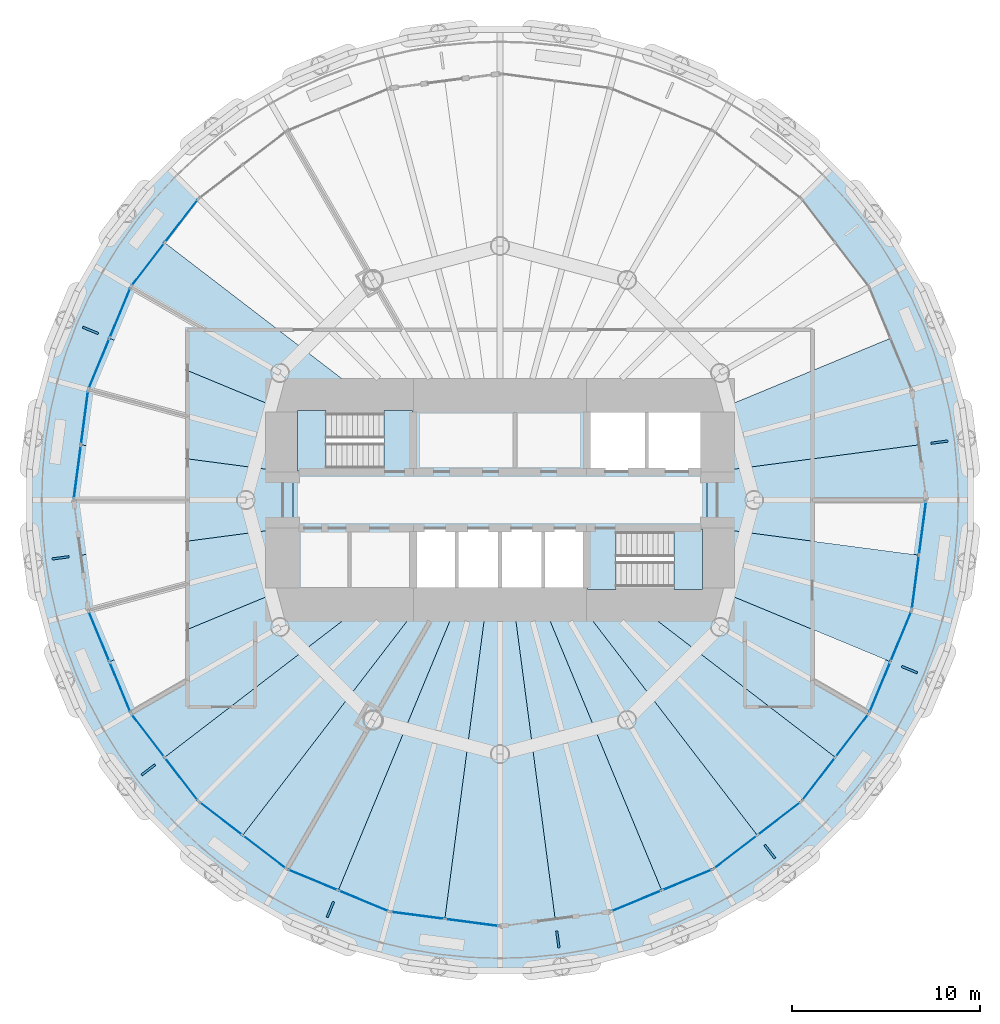
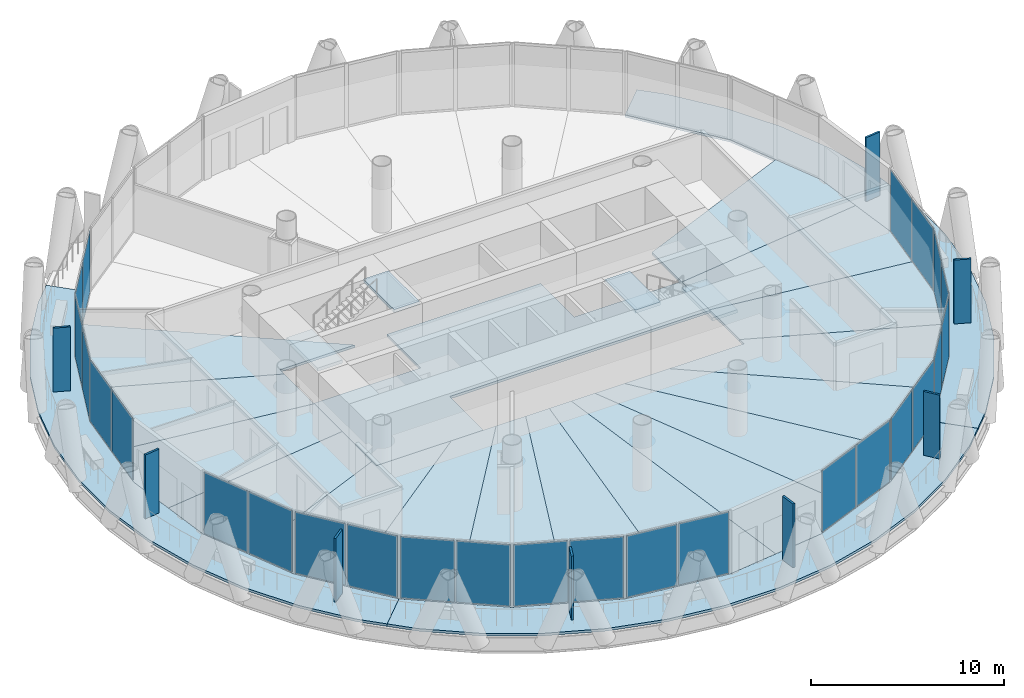
# One storey, part 8 of 15: 34 plates, 24 slabs, 15 elements without a shape of their own.
"""IFC4 building model written with IfcOpenShell, lengths in metres."""

from ifc_helpers import new_model, si_unit, direction, frame, origin, origin_2d, place, context, subcontext, project, spatial, polyline, rectangle, outline, extrude, material, layer, layer_set, type_object, element, aggregate, save


model = new_model("IFC4")

# Units and contexts
model_context = context("Model", 3, precision=1e-05, world=origin(), true_north=direction((0.0, 1.0)))
body_context = subcontext(model_context, "Body", "Model", "MODEL_VIEW")
ifc_project = project(units=[si_unit("LENGTHUNIT", "METRE"), si_unit("AREAUNIT", "SQUARE_METRE"), si_unit("VOLUMEUNIT", "CUBIC_METRE"), si_unit("PLANEANGLEUNIT", "RADIAN"), si_unit("MASSUNIT", "GRAM", prefix="KILO")], contexts=[model_context])

# Site, building, storey
site_placement = place(None, origin())
site = spatial("IfcSite", under=ifc_project, at=site_placement, CompositionType="ELEMENT")
building_placement = place(site_placement, origin())
building = spatial("IfcBuilding", under=site, at=building_placement, Name="Qaws Media Tower", CompositionType="ELEMENT")
storey_placement = place(building_placement, frame((0.0, 0.0, 131.0)))
storey = spatial("IfcBuildingStorey", under=building, at=storey_placement, Name="L29", CompositionType="ELEMENT", Elevation=131.0)

# Slabs
ifc_material_1 = material(Name="Concrete C35/45", Category="concrete")
ifc_layer_1 = layer(ifc_material_1, 0.159912109375)
ifc_layer_set_1 = layer_set([ifc_layer_1], Name="Composite balcony slab 160")
slab_type_1 = type_object("IfcSlabType", Name="Composite balcony slab 160", PredefinedType="FLOOR", material=ifc_layer_set_1)
slab_1_placement = place(storey_placement, frame((0.0, 0.0, -0.159912109375)))
element("IfcSlab", 1, at=slab_1_placement, inside=storey, type_object=slab_type_1, Name="S2 balcony slab L29 R10 to R16, movement joints on R10 and R16", PredefinedType="FLOOR", context=body_context, shape_type="SweptSolid", body=[
    extrude(outline(polyline([(41.16650390625, 33.4833984375), (39.171630859375, 36.0830078125), (37.533203125, 38.920654296875), (36.279296875, 41.947998046875), (35.431396484375, 45.113037109375), (35.003662109375, 48.36181640625), (35.003662109375, 51.63818359375), (35.431396484375, 54.886962890625), (36.279296875, 58.052001953125), (37.533203125, 61.079345703125), (39.171630859375, 63.9169921875), (41.16650390625, 66.5166015625), (42.324951171875, 67.675048828125), (43.98388671875, 66.01611328125), (40.384521484375, 61.324951171875), (38.121826171875, 55.8623046875), (37.35009765625, 50.0), (38.121826171875, 44.1376953125), (40.384521484375, 38.675048828125), (43.98388671875, 33.98388671875), (42.324951171875, 32.324951171875), (41.16650390625, 33.4833984375)])), origin(), (0.0, 0.0, 1.0), 0.159912109375),
])
slab_2_placement = place(storey_placement, frame((0.0, 0.0, -0.159912109375)))
element("IfcSlab", 2, at=slab_2_placement, inside=storey, type_object=slab_type_1, Name="S2 balcony slab L29 R16 to R22, movement joints on R16 and R22", PredefinedType="FLOOR", context=body_context, shape_type="SweptSolid", body=[
    extrude(outline(polyline([(76.5166015625, 31.16650390625), (73.9169921875, 29.171630859375), (71.079345703125, 27.533203125), (68.052001953125, 26.279296875), (64.886962890625, 25.431396484375), (61.63818359375, 25.003662109375), (58.36181640625, 25.003662109375), (55.113037109375, 25.431396484375), (51.947998046875, 26.279296875), (48.920654296875, 27.533203125), (46.0830078125, 29.171630859375), (43.4833984375, 31.16650390625), (42.324951171875, 32.324951171875), (43.98388671875, 33.98388671875), (48.675048828125, 30.384521484375), (54.1376953125, 28.121826171875), (60.0, 27.35009765625), (65.8623046875, 28.121826171875), (71.324951171875, 30.384521484375), (76.01611328125, 33.98388671875), (77.675048828125, 32.324951171875), (76.5166015625, 31.16650390625)])), origin(), (0.0, 0.0, 1.0), 0.159912109375),
])
slab_3_placement = place(storey_placement, frame((0.0, 0.0, -0.159912109375)))
element("IfcSlab", 3, at=slab_3_placement, inside=storey, type_object=slab_type_1, Name="S2 balcony slab L29 R22 to R04, movement joints on R22 and R04", PredefinedType="FLOOR", context=body_context, shape_type="SweptSolid", body=[
    extrude(outline(polyline([(84.568603515625, 45.113037109375), (83.720703125, 41.947998046875), (82.466796875, 38.920654296875), (80.828369140625, 36.0830078125), (78.83349609375, 33.4833984375), (77.675048828125, 32.324951171875), (76.01611328125, 33.98388671875), (79.615478515625, 38.675048828125), (81.878173828125, 44.1376953125), (82.64990234375, 50.0), (81.878173828125, 55.8623046875), (79.615478515625, 61.324951171875), (76.01611328125, 66.01611328125), (77.675048828125, 67.675048828125), (78.83349609375, 66.5166015625), (80.828369140625, 63.9169921875), (82.466796875, 61.079345703125), (83.720703125, 58.052001953125), (84.568603515625, 54.886962890625), (84.996337890625, 51.63818359375), (84.996337890625, 48.36181640625), (84.568603515625, 45.113037109375)])), origin(), (0.0, 0.0, 1.0), 0.159912109375),
])
ifc_material_2 = material(Name="Concrete C35/45", Category="concrete")
ifc_layer_2 = layer(ifc_material_2, 0.159912109375)
ifc_layer_set_2 = layer_set([ifc_layer_2], Name="Composite floor slab 160")
slab_type_2 = type_object("IfcSlabType", Name="Composite floor slab 160", PredefinedType="FLOOR", material=ifc_layer_set_2)
slab_4_placement = place(storey_placement, frame((0.0, 0.0, -0.159912109375)))
element("IfcSlab", 4, at=slab_4_placement, inside=storey, type_object=slab_type_2, Name="S1 core floor slab L29", PredefinedType="FLOOR", context=body_context, shape_type="SweptSolid", body=[
    extrude(outline(polyline([(71.0, 51.5), (71.0, 48.5), (55.39990234375, 48.5), (55.39990234375, 45.0), (49.0, 45.0), (49.0, 51.5), (55.39990234375, 51.5), (55.39990234375, 55.0), (64.60009765625, 55.0), (64.60009765625, 51.5), (71.0, 51.5)])), origin(), (0.0, 0.0, 1.0), 0.159912109375),
])
slab_5_placement = place(storey_placement, frame((0.0, 0.0, -0.159912109375)))
element("IfcSlab", 5, at=slab_5_placement, inside=storey, type_object=slab_type_2, Name="S1 floor panel L29 on R01", PredefinedType="FLOOR", context=body_context, shape_type="SweptSolid", body=[
    extrude(outline(polyline([(82.64990234375, 50.0), (82.26416015625, 47.06884765625), (71.0, 48.5517578125), (71.0, 51.4482421875), (82.26416015625, 52.93115234375), (82.64990234375, 50.0)])), origin(), (0.0, 0.0, 1.0), 0.159912109375),
])
slab_6_placement = place(storey_placement, frame((0.0, 0.0, -0.159912109375)))
element("IfcSlab", 6, at=slab_6_placement, inside=storey, type_object=slab_type_2, Name="S1 floor panel L29 on R02", PredefinedType="FLOOR", context=body_context, shape_type="SweptSolid", body=[
    extrude(outline(polyline([(81.878173828125, 55.8623046875), (82.26416015625, 52.93115234375), (71.0, 51.4482421875), (71.0, 54.556396484375), (80.746826171875, 58.593505859375), (81.878173828125, 55.8623046875)])), origin(), (0.0, 0.0, 1.0), 0.159912109375),
])
slab_7_placement = place(storey_placement, frame((0.0, 0.0, -0.159912109375)))
element("IfcSlab", 7, at=slab_7_placement, inside=storey, type_object=slab_type_2, Name="S1 floor panel L29 on R11", PredefinedType="FLOOR", context=body_context, shape_type="SweptSolid", body=[
    extrude(outline(polyline([(40.384521484375, 61.324951171875), (42.184326171875, 63.67041015625), (53.48388671875, 55.0), (49.0, 55.0), (49.0, 54.556396484375), (39.253173828125, 58.593505859375), (40.384521484375, 61.324951171875)])), origin(), (0.0, 0.0, 1.0), 0.159912109375),
])
slab_8_placement = place(storey_placement, frame((0.0, 0.0, -0.159912109375)))
element("IfcSlab", 8, at=slab_8_placement, inside=storey, type_object=slab_type_2, Name="S1 floor panel L29 on R12", PredefinedType="FLOOR", context=body_context, shape_type="SweptSolid", body=[
    extrude(outline(polyline([(38.121826171875, 55.8623046875), (39.253173828125, 58.593505859375), (49.0, 54.556396484375), (49.0, 51.4482421875), (37.73583984375, 52.93115234375), (38.121826171875, 55.8623046875)])), origin(), (0.0, 0.0, 1.0), 0.159912109375),
])
slab_9_placement = place(storey_placement, frame((0.0, 0.0, -0.159912109375)))
element("IfcSlab", 9, at=slab_9_placement, inside=storey, type_object=slab_type_2, Name="S1 floor panel L29 on R13", PredefinedType="FLOOR", context=body_context, shape_type="SweptSolid", body=[
    extrude(outline(polyline([(37.35009765625, 50.0), (37.73583984375, 52.93115234375), (49.0, 51.4482421875), (49.0, 48.5517578125), (37.73583984375, 47.06884765625), (37.35009765625, 50.0)])), origin(), (0.0, 0.0, 1.0), 0.159912109375),
])
slab_10_placement = place(storey_placement, frame((0.0, 0.0, -0.159912109375)))
element("IfcSlab", 10, at=slab_10_placement, inside=storey, type_object=slab_type_2, Name="S1 floor panel L29 on R14", PredefinedType="FLOOR", context=body_context, shape_type="SweptSolid", body=[
    extrude(outline(polyline([(38.121826171875, 44.1376953125), (37.73583984375, 47.06884765625), (49.0, 48.5517578125), (49.0, 45.443603515625), (39.253173828125, 41.406494140625), (38.121826171875, 44.1376953125)])), origin(), (0.0, 0.0, 1.0), 0.159912109375),
])
slab_11_placement = place(storey_placement, frame((0.0, 0.0, -0.159912109375)))
element("IfcSlab", 11, at=slab_11_placement, inside=storey, type_object=slab_type_2, Name="S1 floor panel L29 on R15", PredefinedType="FLOOR", context=body_context, shape_type="SweptSolid", body=[
    extrude(outline(polyline([(40.384521484375, 38.675048828125), (39.253173828125, 41.406494140625), (49.0, 45.443603515625), (49.0, 45.0), (53.48388671875, 45.0), (42.184326171875, 36.32958984375), (40.384521484375, 38.675048828125)])), origin(), (0.0, 0.0, 1.0), 0.159912109375),
])
slab_12_placement = place(storey_placement, frame((0.0, 0.0, -0.159912109375)))
element("IfcSlab", 12, at=slab_12_placement, inside=storey, type_object=slab_type_2, Name="S1 floor panel L29 on R16", PredefinedType="FLOOR", context=body_context, shape_type="SweptSolid", body=[
    extrude(outline(polyline([(43.98388671875, 33.98388671875), (42.184326171875, 36.32958984375), (53.48388671875, 45.0), (56.163330078125, 45.0), (46.32958984375, 32.184326171875), (43.98388671875, 33.98388671875)])), origin(), (0.0, 0.0, 1.0), 0.159912109375),
])
slab_13_placement = place(storey_placement, frame((0.0, 0.0, -0.159912109375)))
element("IfcSlab", 13, at=slab_13_placement, inside=storey, type_object=slab_type_2, Name="S1 floor panel L29 on R17", PredefinedType="FLOOR", context=body_context, shape_type="SweptSolid", body=[
    extrude(outline(polyline([(48.675048828125, 30.384521484375), (46.32958984375, 32.184326171875), (56.163330078125, 45.0), (57.928955078125, 45.0), (51.406494140625, 29.253173828125), (48.675048828125, 30.384521484375)])), origin(), (0.0, 0.0, 1.0), 0.159912109375),
])
slab_14_placement = place(storey_placement, frame((0.0, 0.0, -0.159912109375)))
element("IfcSlab", 14, at=slab_14_placement, inside=storey, type_object=slab_type_2, Name="S1 floor panel L29 on R18", PredefinedType="FLOOR", context=body_context, shape_type="SweptSolid", body=[
    extrude(outline(polyline([(54.1376953125, 28.121826171875), (51.406494140625, 29.253173828125), (57.928955078125, 45.0), (59.341796875, 45.0), (57.06884765625, 27.73583984375), (54.1376953125, 28.121826171875)])), origin(), (0.0, 0.0, 1.0), 0.159912109375),
])
slab_15_placement = place(storey_placement, frame((0.0, 0.0, -0.159912109375)))
element("IfcSlab", 15, at=slab_15_placement, inside=storey, type_object=slab_type_2, Name="S1 floor panel L29 on R19", PredefinedType="FLOOR", context=body_context, shape_type="SweptSolid", body=[
    extrude(outline(polyline([(60.0, 27.35009765625), (57.06884765625, 27.73583984375), (59.341796875, 45.0), (60.658203125, 45.0), (62.93115234375, 27.73583984375), (60.0, 27.35009765625)])), origin(), (0.0, 0.0, 1.0), 0.159912109375),
])
slab_16_placement = place(storey_placement, frame((0.0, 0.0, -0.159912109375)))
element("IfcSlab", 16, at=slab_16_placement, inside=storey, type_object=slab_type_2, Name="S1 floor panel L29 on R20", PredefinedType="FLOOR", context=body_context, shape_type="SweptSolid", body=[
    extrude(outline(polyline([(65.8623046875, 28.121826171875), (62.93115234375, 27.73583984375), (60.658203125, 45.0), (62.071044921875, 45.0), (68.593505859375, 29.253173828125), (65.8623046875, 28.121826171875)])), origin(), (0.0, 0.0, 1.0), 0.159912109375),
])
slab_17_placement = place(storey_placement, frame((0.0, 0.0, -0.159912109375)))
element("IfcSlab", 17, at=slab_17_placement, inside=storey, type_object=slab_type_2, Name="S1 floor panel L29 on R21", PredefinedType="FLOOR", context=body_context, shape_type="SweptSolid", body=[
    extrude(outline(polyline([(71.324951171875, 30.384521484375), (68.593505859375, 29.253173828125), (62.071044921875, 45.0), (63.836669921875, 45.0), (73.67041015625, 32.184326171875), (71.324951171875, 30.384521484375)])), origin(), (0.0, 0.0, 1.0), 0.159912109375),
])
slab_18_placement = place(storey_placement, frame((0.0, 0.0, -0.159912109375)))
element("IfcSlab", 18, at=slab_18_placement, inside=storey, type_object=slab_type_2, Name="S1 floor panel L29 on R22", PredefinedType="FLOOR", context=body_context, shape_type="SweptSolid", body=[
    extrude(outline(polyline([(76.01611328125, 33.98388671875), (73.67041015625, 32.184326171875), (63.836669921875, 45.0), (66.51611328125, 45.0), (77.815673828125, 36.32958984375), (76.01611328125, 33.98388671875)])), origin(), (0.0, 0.0, 1.0), 0.159912109375),
])
slab_19_placement = place(storey_placement, frame((0.0, 0.0, -0.159912109375)))
element("IfcSlab", 19, at=slab_19_placement, inside=storey, type_object=slab_type_2, Name="S1 floor panel L29 on R23", PredefinedType="FLOOR", context=body_context, shape_type="SweptSolid", body=[
    extrude(outline(polyline([(79.615478515625, 38.675048828125), (77.815673828125, 36.32958984375), (66.51611328125, 45.0), (71.0, 45.0), (71.0, 45.443603515625), (80.746826171875, 41.406494140625), (79.615478515625, 38.675048828125)])), origin(), (0.0, 0.0, 1.0), 0.159912109375),
])
slab_20_placement = place(storey_placement, frame((0.0, 0.0, -0.159912109375)))
element("IfcSlab", 20, at=slab_20_placement, inside=storey, type_object=slab_type_2, Name="S1 floor panel L29 on R24", PredefinedType="FLOOR", context=body_context, shape_type="SweptSolid", body=[
    extrude(outline(polyline([(80.746826171875, 41.406494140625), (71.0, 45.443603515625), (71.0, 48.5517578125), (82.26416015625, 47.06884765625), (81.878173828125, 44.1376953125), (80.746826171875, 41.406494140625)])), origin(), (0.0, 0.0, 1.0), 0.159912109375),
])

# Curtain wall, plates
ifc_material_3 = material(Name="Aluminium and clear glass", Category="aluminium")
curtain_wall_type = type_object("IfcCurtainWallType", Name="Unitised curtain wall CW-B", PredefinedType="NOTDEFINED", material=ifc_material_3)
curtain_wall_1_placement = place(storey_placement, origin())
curtain_wall_1 = element("IfcCurtainWall", 21, at=curtain_wall_1_placement, inside=storey, type_object=curtain_wall_type, Name="CWB curtain wall L29-10", PredefinedType="NOTDEFINED")
ifc_material_4 = material(Name="Clear laminated double glazing", Category="glass")
ifc_layer_3 = layer(ifc_material_4, 0.031982421875)
ifc_layer_set_3 = layer_set([ifc_layer_3], Name="Curtain wall glass unit 32")
plate_type_1 = type_object("IfcPlateType", Name="Curtain wall glass unit 32", PredefinedType="CURTAIN_PANEL", material=ifc_layer_set_3)
plate_1_placement = place(storey_placement, frame((43.072021484375, 64.827392578125, 0.080078125), z_axis=(0.0, 0.0, 1.0), x_axis=(-0.608761310482, -0.79335343124, 0.0)))
plate_1 = element("IfcPlate", 22, at=plate_1_placement, type_object=plate_type_1, Name="CWB panel 1.1", PredefinedType="CURTAIN_PANEL", context=body_context, shape_type="SweptSolid", body=[
    extrude(rectangle(XDim=2.83642578125, YDim=0.031982421875, at=origin_2d()), origin(), (0.0, 0.0, 1.0), 3.8798828125),
])
plate_2_placement = place(storey_placement, frame((41.296630859375, 62.513671875, 0.080078125), z_axis=(0.0, 0.0, 1.0), x_axis=(-0.608761310482, -0.79335343124, 0.0)))
plate_2 = element("IfcPlate", 23, at=plate_2_placement, type_object=plate_type_1, Name="CWB panel 2.1", PredefinedType="CURTAIN_PANEL", context=body_context, shape_type="SweptSolid", body=[
    extrude(rectangle(XDim=2.83642578125, YDim=0.031982421875, at=origin_2d()), origin(), (0.0, 0.0, 1.0), 3.8798828125),
])
aggregate(curtain_wall_1, [plate_1, plate_2])

curtain_wall_2_placement = place(storey_placement, origin())
curtain_wall_2 = element("IfcCurtainWall", 24, at=curtain_wall_2_placement, inside=storey, type_object=curtain_wall_type, Name="CWB curtain wall L29-11", PredefinedType="NOTDEFINED")
plate_3_placement = place(storey_placement, frame((39.811279296875, 59.94091796875, 0.080078125), z_axis=(0.0, 0.0, 1.0), x_axis=(-0.382683472258, -0.923879515987, 0.0)))
plate_3 = element("IfcPlate", 25, at=plate_3_placement, type_object=plate_type_1, Name="CWB panel 1.1", PredefinedType="CURTAIN_PANEL", context=body_context, shape_type="SweptSolid", body=[
    extrude(rectangle(XDim=2.83642578125, YDim=0.031982421875, at=origin_2d()), origin(), (0.0, 0.0, 1.0), 3.8798828125),
])
plate_4_placement = place(storey_placement, frame((38.695068359375, 57.246337890625, 0.080078125), z_axis=(0.0, 0.0, 1.0), x_axis=(-0.382683472258, -0.923879515987, 0.0)))
plate_4 = element("IfcPlate", 26, at=plate_4_placement, type_object=plate_type_1, Name="CWB panel 2.1", PredefinedType="CURTAIN_PANEL", context=body_context, shape_type="SweptSolid", body=[
    extrude(rectangle(XDim=2.83642578125, YDim=0.031982421875, at=origin_2d()), origin(), (0.0, 0.0, 1.0), 3.8798828125),
])
aggregate(curtain_wall_2, [plate_3, plate_4])

curtain_wall_3_placement = place(storey_placement, origin())
curtain_wall_3 = element("IfcCurtainWall", 27, at=curtain_wall_3_placement, inside=storey, type_object=curtain_wall_type, Name="CWB curtain wall L29-12", PredefinedType="NOTDEFINED")
plate_5_placement = place(storey_placement, frame((37.92626953125, 54.376953125, 0.080078125), z_axis=(0.0, 0.0, 1.0), x_axis=(-0.130526194608, -0.991444861059, 0.0)))
plate_5 = element("IfcPlate", 28, at=plate_5_placement, type_object=plate_type_1, Name="CWB panel 1.1", PredefinedType="CURTAIN_PANEL", context=body_context, shape_type="SweptSolid", body=[
    extrude(rectangle(XDim=2.83642578125, YDim=0.031982421875, at=origin_2d()), origin(), (0.0, 0.0, 1.0), 3.8798828125),
])
plate_6_placement = place(storey_placement, frame((37.545654296875, 51.4853515625, 0.080078125), z_axis=(0.0, 0.0, 1.0), x_axis=(-0.130526194608, -0.991444861059, 0.0)))
plate_6 = element("IfcPlate", 29, at=plate_6_placement, type_object=plate_type_1, Name="CWB panel 2.1", PredefinedType="CURTAIN_PANEL", context=body_context, shape_type="SweptSolid", body=[
    extrude(rectangle(XDim=2.83642578125, YDim=0.031982421875, at=origin_2d()), origin(), (0.0, 0.0, 1.0), 3.8798828125),
])
aggregate(curtain_wall_3, [plate_5, plate_6])

curtain_wall_4_placement = place(storey_placement, origin())
curtain_wall_4 = element("IfcCurtainWall", 30, at=curtain_wall_4_placement, inside=storey, type_object=curtain_wall_type, Name="CWB curtain wall L29-14", PredefinedType="NOTDEFINED")
plate_7_placement = place(storey_placement, frame((38.695068359375, 42.753662109375, 0.080078125), z_axis=(0.0, 0.0, 1.0), x_axis=(0.382683472258, -0.923879515987, 0.0)))
plate_7 = element("IfcPlate", 31, at=plate_7_placement, type_object=plate_type_1, Name="CWB panel 1.1", PredefinedType="CURTAIN_PANEL", context=body_context, shape_type="SweptSolid", body=[
    extrude(rectangle(XDim=2.83642578125, YDim=0.031982421875, at=origin_2d()), origin(), (0.0, 0.0, 1.0), 3.8798828125),
])
plate_8_placement = place(storey_placement, frame((39.811279296875, 40.05908203125, 0.080078125), z_axis=(0.0, 0.0, 1.0), x_axis=(0.382683472258, -0.923879515987, 0.0)))
plate_8 = element("IfcPlate", 32, at=plate_8_placement, type_object=plate_type_1, Name="CWB panel 2.1", PredefinedType="CURTAIN_PANEL", context=body_context, shape_type="SweptSolid", body=[
    extrude(rectangle(XDim=2.83642578125, YDim=0.031982421875, at=origin_2d()), origin(), (0.0, 0.0, 1.0), 3.8798828125),
])
aggregate(curtain_wall_4, [plate_7, plate_8])

curtain_wall_5_placement = place(storey_placement, origin())
curtain_wall_5 = element("IfcCurtainWall", 33, at=curtain_wall_5_placement, inside=storey, type_object=curtain_wall_type, Name="CWB curtain wall L29-15", PredefinedType="NOTDEFINED")
plate_9_placement = place(storey_placement, frame((41.296630859375, 37.486328125, 0.080078125), z_axis=(0.0, 0.0, 1.0), x_axis=(0.608761310482, -0.79335343124, 0.0)))
plate_9 = element("IfcPlate", 34, at=plate_9_placement, type_object=plate_type_1, Name="CWB panel 1.1", PredefinedType="CURTAIN_PANEL", context=body_context, shape_type="SweptSolid", body=[
    extrude(rectangle(XDim=2.83642578125, YDim=0.031982421875, at=origin_2d()), origin(), (0.0, 0.0, 1.0), 3.8798828125),
])
plate_10_placement = place(storey_placement, frame((43.072021484375, 35.172607421875, 0.080078125), z_axis=(0.0, 0.0, 1.0), x_axis=(0.608761310482, -0.79335343124, 0.0)))
plate_10 = element("IfcPlate", 35, at=plate_10_placement, type_object=plate_type_1, Name="CWB panel 2.1", PredefinedType="CURTAIN_PANEL", context=body_context, shape_type="SweptSolid", body=[
    extrude(rectangle(XDim=2.83642578125, YDim=0.031982421875, at=origin_2d()), origin(), (0.0, 0.0, 1.0), 3.8798828125),
])
aggregate(curtain_wall_5, [plate_9, plate_10])

curtain_wall_6_placement = place(storey_placement, origin())
curtain_wall_6 = element("IfcCurtainWall", 36, at=curtain_wall_6_placement, inside=storey, type_object=curtain_wall_type, Name="CWB curtain wall L29-16", PredefinedType="NOTDEFINED")
plate_11_placement = place(storey_placement, frame((45.172607421875, 33.072021484375, 0.080078125), z_axis=(0.0, 0.0, 1.0), x_axis=(0.79335343124, -0.608761310482, 0.0)))
plate_11 = element("IfcPlate", 37, at=plate_11_placement, type_object=plate_type_1, Name="CWB panel 1.1", PredefinedType="CURTAIN_PANEL", context=body_context, shape_type="SweptSolid", body=[
    extrude(rectangle(XDim=2.83642578125, YDim=0.031982421875, at=origin_2d()), origin(), (0.0, 0.0, 1.0), 3.8798828125),
])
plate_12_placement = place(storey_placement, frame((47.486328125, 31.296630859375, 0.080078125), z_axis=(0.0, 0.0, 1.0), x_axis=(0.79335343124, -0.608761310482, 0.0)))
plate_12 = element("IfcPlate", 38, at=plate_12_placement, type_object=plate_type_1, Name="CWB panel 2.1", PredefinedType="CURTAIN_PANEL", context=body_context, shape_type="SweptSolid", body=[
    extrude(rectangle(XDim=2.83642578125, YDim=0.031982421875, at=origin_2d()), origin(), (0.0, 0.0, 1.0), 3.8798828125),
])
aggregate(curtain_wall_6, [plate_11, plate_12])

curtain_wall_7_placement = place(storey_placement, origin())
curtain_wall_7 = element("IfcCurtainWall", 39, at=curtain_wall_7_placement, inside=storey, type_object=curtain_wall_type, Name="CWB curtain wall L29-17", PredefinedType="NOTDEFINED")
plate_13_placement = place(storey_placement, frame((50.05908203125, 29.811279296875, 0.080078125), z_axis=(0.0, 0.0, 1.0), x_axis=(0.923879515987, -0.382683472258, 0.0)))
plate_13 = element("IfcPlate", 40, at=plate_13_placement, type_object=plate_type_1, Name="CWB panel 1.1", PredefinedType="CURTAIN_PANEL", context=body_context, shape_type="SweptSolid", body=[
    extrude(rectangle(XDim=2.83642578125, YDim=0.031982421875, at=origin_2d()), origin(), (0.0, 0.0, 1.0), 3.8798828125),
])
plate_14_placement = place(storey_placement, frame((52.753662109375, 28.695068359375, 0.080078125), z_axis=(0.0, 0.0, 1.0), x_axis=(0.923879515987, -0.382683472258, 0.0)))
plate_14 = element("IfcPlate", 41, at=plate_14_placement, type_object=plate_type_1, Name="CWB panel 2.1", PredefinedType="CURTAIN_PANEL", context=body_context, shape_type="SweptSolid", body=[
    extrude(rectangle(XDim=2.83642578125, YDim=0.031982421875, at=origin_2d()), origin(), (0.0, 0.0, 1.0), 3.8798828125),
])
aggregate(curtain_wall_7, [plate_13, plate_14])

curtain_wall_8_placement = place(storey_placement, origin())
curtain_wall_8 = element("IfcCurtainWall", 42, at=curtain_wall_8_placement, inside=storey, type_object=curtain_wall_type, Name="CWB curtain wall L29-18", PredefinedType="NOTDEFINED")
plate_15_placement = place(storey_placement, frame((55.623046875, 27.92626953125, 0.080078125), z_axis=(0.0, 0.0, 1.0), x_axis=(0.991444861059, -0.130526194608, 0.0)))
plate_15 = element("IfcPlate", 43, at=plate_15_placement, type_object=plate_type_1, Name="CWB panel 1.1", PredefinedType="CURTAIN_PANEL", context=body_context, shape_type="SweptSolid", body=[
    extrude(rectangle(XDim=2.83642578125, YDim=0.031982421875, at=origin_2d()), origin(), (0.0, 0.0, 1.0), 3.8798828125),
])
plate_16_placement = place(storey_placement, frame((58.5146484375, 27.545654296875, 0.080078125), z_axis=(0.0, 0.0, 1.0), x_axis=(0.991444861059, -0.130526194608, 0.0)))
plate_16 = element("IfcPlate", 44, at=plate_16_placement, type_object=plate_type_1, Name="CWB panel 2.1", PredefinedType="CURTAIN_PANEL", context=body_context, shape_type="SweptSolid", body=[
    extrude(rectangle(XDim=2.83642578125, YDim=0.031982421875, at=origin_2d()), origin(), (0.0, 0.0, 1.0), 3.8798828125),
])
aggregate(curtain_wall_8, [plate_15, plate_16])

curtain_wall_9_placement = place(storey_placement, origin())
curtain_wall_9 = element("IfcCurtainWall", 45, at=curtain_wall_9_placement, inside=storey, type_object=curtain_wall_type, Name="CWB curtain wall L29-20", PredefinedType="NOTDEFINED")
plate_17_placement = place(storey_placement, frame((67.246337890625, 28.695068359375, 0.080078125), z_axis=(0.0, 0.0, 1.0), x_axis=(0.923879515987, 0.382683472258, 0.0)))
plate_17 = element("IfcPlate", 46, at=plate_17_placement, type_object=plate_type_1, Name="CWB panel 1.1", PredefinedType="CURTAIN_PANEL", context=body_context, shape_type="SweptSolid", body=[
    extrude(rectangle(XDim=2.83642578125, YDim=0.031982421875, at=origin_2d()), origin(), (0.0, 0.0, 1.0), 3.8798828125),
])
plate_18_placement = place(storey_placement, frame((69.94091796875, 29.811279296875, 0.080078125), z_axis=(0.0, 0.0, 1.0), x_axis=(0.923879515987, 0.382683472258, 0.0)))
plate_18 = element("IfcPlate", 47, at=plate_18_placement, type_object=plate_type_1, Name="CWB panel 2.1", PredefinedType="CURTAIN_PANEL", context=body_context, shape_type="SweptSolid", body=[
    extrude(rectangle(XDim=2.83642578125, YDim=0.031982421875, at=origin_2d()), origin(), (0.0, 0.0, 1.0), 3.8798828125),
])
aggregate(curtain_wall_9, [plate_17, plate_18])

curtain_wall_10_placement = place(storey_placement, origin())
curtain_wall_10 = element("IfcCurtainWall", 48, at=curtain_wall_10_placement, inside=storey, type_object=curtain_wall_type, Name="CWB curtain wall L29-21", PredefinedType="NOTDEFINED")
plate_19_placement = place(storey_placement, frame((72.513671875, 31.296630859375, 0.080078125), z_axis=(0.0, 0.0, 1.0), x_axis=(0.79335343124, 0.608761310482, 0.0)))
plate_19 = element("IfcPlate", 49, at=plate_19_placement, type_object=plate_type_1, Name="CWB panel 1.1", PredefinedType="CURTAIN_PANEL", context=body_context, shape_type="SweptSolid", body=[
    extrude(rectangle(XDim=2.83642578125, YDim=0.031982421875, at=origin_2d()), origin(), (0.0, 0.0, 1.0), 3.8798828125),
])
plate_20_placement = place(storey_placement, frame((74.827392578125, 33.072021484375, 0.080078125), z_axis=(0.0, 0.0, 1.0), x_axis=(0.79335343124, 0.608761310482, 0.0)))
plate_20 = element("IfcPlate", 50, at=plate_20_placement, type_object=plate_type_1, Name="CWB panel 2.1", PredefinedType="CURTAIN_PANEL", context=body_context, shape_type="SweptSolid", body=[
    extrude(rectangle(XDim=2.83642578125, YDim=0.031982421875, at=origin_2d()), origin(), (0.0, 0.0, 1.0), 3.8798828125),
])
aggregate(curtain_wall_10, [plate_19, plate_20])

curtain_wall_11_placement = place(storey_placement, origin())
curtain_wall_11 = element("IfcCurtainWall", 51, at=curtain_wall_11_placement, inside=storey, type_object=curtain_wall_type, Name="CWB curtain wall L29-22", PredefinedType="NOTDEFINED")
plate_21_placement = place(storey_placement, frame((76.927978515625, 35.172607421875, 0.080078125), z_axis=(0.0, 0.0, 1.0), x_axis=(0.608761310482, 0.79335343124, 0.0)))
plate_21 = element("IfcPlate", 52, at=plate_21_placement, type_object=plate_type_1, Name="CWB panel 1.1", PredefinedType="CURTAIN_PANEL", context=body_context, shape_type="SweptSolid", body=[
    extrude(rectangle(XDim=2.83642578125, YDim=0.031982421875, at=origin_2d()), origin(), (0.0, 0.0, 1.0), 3.8798828125),
])
plate_22_placement = place(storey_placement, frame((78.703369140625, 37.486328125, 0.080078125), z_axis=(0.0, 0.0, 1.0), x_axis=(0.608761310482, 0.79335343124, 0.0)))
plate_22 = element("IfcPlate", 53, at=plate_22_placement, type_object=plate_type_1, Name="CWB panel 2.1", PredefinedType="CURTAIN_PANEL", context=body_context, shape_type="SweptSolid", body=[
    extrude(rectangle(XDim=2.83642578125, YDim=0.031982421875, at=origin_2d()), origin(), (0.0, 0.0, 1.0), 3.8798828125),
])
aggregate(curtain_wall_11, [plate_21, plate_22])

curtain_wall_12_placement = place(storey_placement, origin())
curtain_wall_12 = element("IfcCurtainWall", 54, at=curtain_wall_12_placement, inside=storey, type_object=curtain_wall_type, Name="CWB curtain wall L29-23", PredefinedType="NOTDEFINED")
plate_23_placement = place(storey_placement, frame((80.188720703125, 40.05908203125, 0.080078125), z_axis=(0.0, 0.0, 1.0), x_axis=(0.382683472258, 0.923879515987, 0.0)))
plate_23 = element("IfcPlate", 55, at=plate_23_placement, type_object=plate_type_1, Name="CWB panel 1.1", PredefinedType="CURTAIN_PANEL", context=body_context, shape_type="SweptSolid", body=[
    extrude(rectangle(XDim=2.83642578125, YDim=0.031982421875, at=origin_2d()), origin(), (0.0, 0.0, 1.0), 3.8798828125),
])
plate_24_placement = place(storey_placement, frame((81.304931640625, 42.753662109375, 0.080078125), z_axis=(0.0, 0.0, 1.0), x_axis=(0.382683472258, 0.923879515987, 0.0)))
plate_24 = element("IfcPlate", 56, at=plate_24_placement, type_object=plate_type_1, Name="CWB panel 2.1", PredefinedType="CURTAIN_PANEL", context=body_context, shape_type="SweptSolid", body=[
    extrude(rectangle(XDim=2.83642578125, YDim=0.031982421875, at=origin_2d()), origin(), (0.0, 0.0, 1.0), 3.8798828125),
])
aggregate(curtain_wall_12, [plate_23, plate_24])

curtain_wall_13_placement = place(storey_placement, origin())
curtain_wall_13 = element("IfcCurtainWall", 57, at=curtain_wall_13_placement, inside=storey, type_object=curtain_wall_type, Name="CWB curtain wall L29-24", PredefinedType="NOTDEFINED")
plate_25_placement = place(storey_placement, frame((82.07373046875, 45.623046875, 0.080078125), z_axis=(0.0, 0.0, 1.0), x_axis=(0.130526194608, 0.991444861059, 0.0)))
plate_25 = element("IfcPlate", 58, at=plate_25_placement, type_object=plate_type_1, Name="CWB panel 1.1", PredefinedType="CURTAIN_PANEL", context=body_context, shape_type="SweptSolid", body=[
    extrude(rectangle(XDim=2.83642578125, YDim=0.031982421875, at=origin_2d()), origin(), (0.0, 0.0, 1.0), 3.8798828125),
])
plate_26_placement = place(storey_placement, frame((82.454345703125, 48.5146484375, 0.080078125), z_axis=(0.0, 0.0, 1.0), x_axis=(0.130526194608, 0.991444861059, 0.0)))
plate_26 = element("IfcPlate", 59, at=plate_26_placement, type_object=plate_type_1, Name="CWB panel 2.1", PredefinedType="CURTAIN_PANEL", context=body_context, shape_type="SweptSolid", body=[
    extrude(rectangle(XDim=2.83642578125, YDim=0.031982421875, at=origin_2d()), origin(), (0.0, 0.0, 1.0), 3.8798828125),
])
aggregate(curtain_wall_13, [plate_25, plate_26])

# Plates
ifc_material_5 = material(Name="Precast concrete screen fin", Category="concrete")
ifc_layer_4 = layer(ifc_material_5, 0.1201171875)
ifc_layer_set_4 = layer_set([ifc_layer_4], Name="Screen fin 120x900")
plate_type_2 = type_object("IfcPlateType", Name="Screen fin 120x900", PredefinedType="USERDEFINED", material=ifc_layer_set_4)
for number, where, z_axis, x_axis, name in (
    (60, (83.3486328125, 53.073974609375, 0.0), (0.0, 0.0, 1.0), (0.991444861374, 0.13052619222, 0.0), "SCR1 screen fin L29-01"),
    (61, (38.24267578125, 59.01220703125, 0.0), (0.0, 0.0, 1.0), (-0.923879532511, 0.382683432365, 0.0), "SCR1 screen fin L29-06"),
    (62, (36.6513671875, 46.926025390625, 0.0), (0.0, 0.0, 1.0), (-0.991444861374, -0.13052619222, 0.0), "SCR1 screen fin L29-07"),
    (63, (41.316650390625, 35.66357421875, 0.0), (0.0, 0.0, 1.0), (-0.793353340291, -0.608761429009, 0.0), "SCR1 screen fin L29-08"),
    (64, (50.98779296875, 28.24267578125, 0.0), (0.0, 0.0, 1.0), (-0.382683432365, -0.923879532511, 0.0), "SCR1 screen fin L29-09"),
    (65, (63.073974609375, 26.6513671875, 0.0), (0.0, 0.0, 1.0), (0.13052619222, -0.991444861374, 0.0), "SCR1 screen fin L29-10"),
    (66, (74.33642578125, 31.316650390625, 0.0), (0.0, 0.0, 1.0), (0.608761429009, -0.793353340291, 0.0), "SCR1 screen fin L29-11"),
    (67, (81.75732421875, 40.98779296875, 0.0), (0.0, 0.0, 1.0), (0.923879532511, -0.382683432365, 0.0), "SCR1 screen fin L29-12"),
):
    element("IfcPlate", number, at=place(storey_placement, frame(where, z_axis=z_axis, x_axis=x_axis)), inside=storey, type_object=plate_type_2, Name=name, ObjectType="SCREEN", PredefinedType="USERDEFINED", context=body_context, shape_type="SweptSolid", body=[
        extrude(rectangle(XDim=0.89990234375, YDim=0.1201171875, at=origin_2d()), origin(), (0.0, 0.0, 1.0), 4.0400390625),
    ])

# Stair, slabs
ifc_material_6 = material(Name="Concrete C40/50", Category="concrete")
stair_type = type_object("IfcStairType", Name="Exit stair", PredefinedType="HALF_TURN_STAIR", material=ifc_material_6)
stair_1_placement = place(storey_placement, origin())
stair_1 = element("IfcStair", 68, at=stair_1_placement, inside=storey, type_object=stair_type, Name="S1 exit stair L29", PredefinedType="HALF_TURN_STAIR")
ifc_material_7 = material(Name="Concrete C40/50", Category="concrete")
ifc_layer_5 = layer(ifc_material_7, 0.199951171875)
ifc_layer_set_5 = layer_set([ifc_layer_5], Name="Stair landing 200")
slab_type_3 = type_object("IfcSlabType", Name="Stair landing 200", PredefinedType="LANDING", material=ifc_layer_set_5)
slab_21_placement = place(storey_placement, frame((0.0, 0.0, 1.89990234375)))
slab_21 = element("IfcSlab", 69, at=slab_21_placement, type_object=slab_type_3, Name="S1 landing 1", PredefinedType="LANDING", context=body_context, shape_type="SweptSolid", body=[
    extrude(outline(polyline([(49.25, 51.550048828125), (50.760009765625, 51.550048828125), (50.760009765625, 54.75), (49.25, 54.75), (49.25, 51.550048828125)])), origin(), (0.0, 0.0, 1.0), 0.2001953125),
])
slab_22_placement = place(storey_placement, frame((0.0, 0.0, 4.0)))
slab_22 = element("IfcSlab", 70, at=slab_22_placement, type_object=slab_type_3, Name="S1 landing 2", PredefinedType="LANDING", context=body_context, shape_type="SweptSolid", body=[
    extrude(outline(polyline([(53.840087890625, 51.550048828125), (55.35009765625, 51.550048828125), (55.35009765625, 54.75), (53.840087890625, 54.75), (53.840087890625, 51.550048828125)])), origin(), (0.0, 0.0, 1.0), 0.199951171875),
])
aggregate(stair_1, [slab_21, slab_22])

stair_2_placement = place(storey_placement, origin())
stair_2 = element("IfcStair", 71, at=stair_2_placement, inside=storey, type_object=stair_type, Name="S2 exit stair L29", PredefinedType="HALF_TURN_STAIR")
slab_23_placement = place(storey_placement, frame((0.0, 0.0, 1.89990234375)))
slab_23 = element("IfcSlab", 72, at=slab_23_placement, type_object=slab_type_3, Name="S2 landing 1", PredefinedType="LANDING", context=body_context, shape_type="SweptSolid", body=[
    extrude(outline(polyline([(69.239990234375, 45.25), (70.75, 45.25), (70.75, 48.449951171875), (69.239990234375, 48.449951171875), (69.239990234375, 45.25)])), origin(), (0.0, 0.0, 1.0), 0.2001953125),
])
slab_24_placement = place(storey_placement, frame((0.0, 0.0, 4.0)))
slab_24 = element("IfcSlab", 73, at=slab_24_placement, type_object=slab_type_3, Name="S2 landing 2", PredefinedType="LANDING", context=body_context, shape_type="SweptSolid", body=[
    extrude(outline(polyline([(64.64990234375, 45.25), (66.159912109375, 45.25), (66.159912109375, 48.449951171875), (64.64990234375, 48.449951171875), (64.64990234375, 45.25)])), origin(), (0.0, 0.0, 1.0), 0.199951171875),
])
aggregate(stair_2, [slab_23, slab_24])

save(model, "model.ifc")
